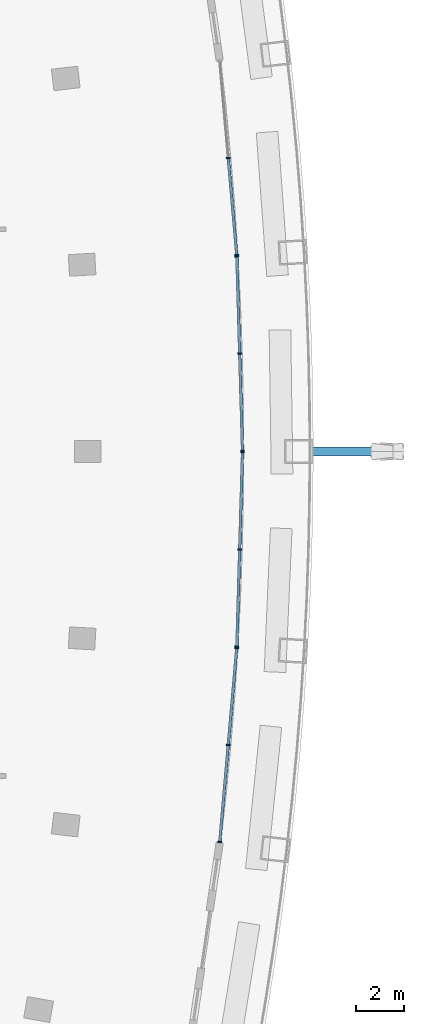
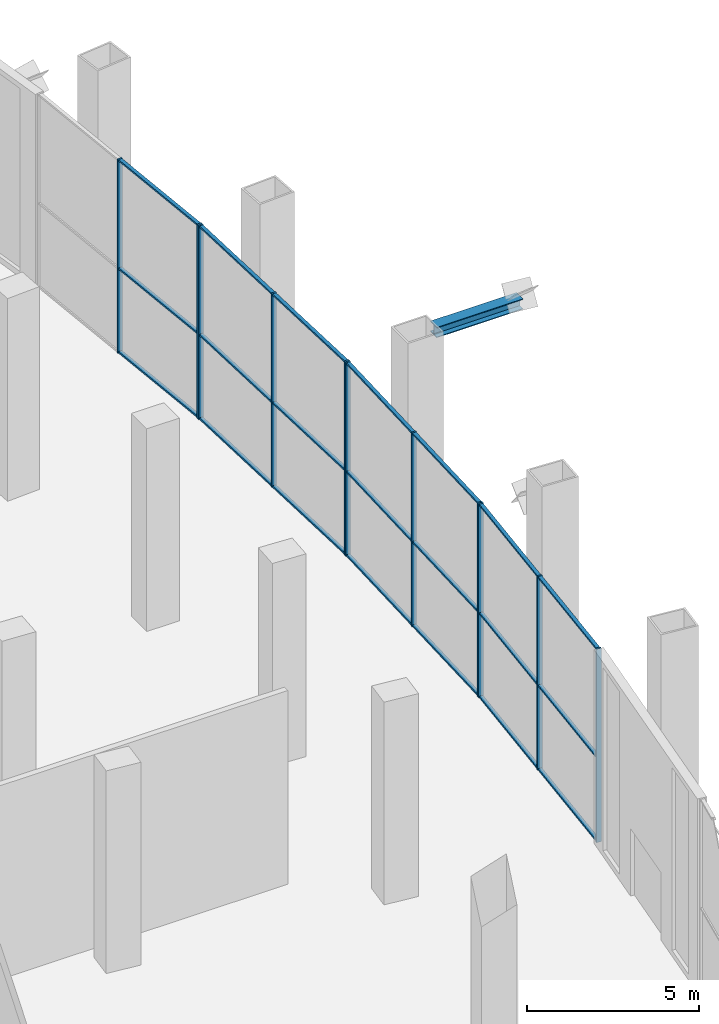
# One storey, part 11 of 27: 33 members, 4 elements without a shape of their own.
"""IFC4 building model written with IfcOpenShell, lengths in metres."""

from ifc_helpers import new_model, si_unit, direction, frame, origin, origin_2d, place, context, subcontext, project, spatial, rectangle, i_section, extrude, material, layer, layer_set, material_profile, profile_set, type_object, element, aggregate, save


model = new_model("IFC4")

# Units and contexts
model_context = context("Model", 3, precision=1e-05, world=origin(), true_north=direction((0.0, 1.0)))
body_context = subcontext(model_context, "Body", "Model", "MODEL_VIEW")
ifc_project = project(units=[si_unit("LENGTHUNIT", "METRE"), si_unit("AREAUNIT", "SQUARE_METRE"), si_unit("VOLUMEUNIT", "CUBIC_METRE"), si_unit("PLANEANGLEUNIT", "RADIAN"), si_unit("MASSUNIT", "GRAM", prefix="KILO")], contexts=[model_context])

# Site, building, storey
site_placement = place(None, origin())
site = spatial("IfcSite", under=ifc_project, at=site_placement, CompositionType="ELEMENT")
building_placement = place(site_placement, origin())
building = spatial("IfcBuilding", under=site, at=building_placement, Name="Alderwake Tower", CompositionType="ELEMENT")
storey_placement = place(building_placement, frame((0.0, 0.0, 75.199951171875)))
storey = spatial("IfcBuildingStorey", under=building, at=storey_placement, Name="L18", CompositionType="ELEMENT", Elevation=75.199951171875)

# Member
ifc_material_1 = material(Name="Steel ASTM A992 Grade 50", Category="steel")
ifc_material_profile_1 = material_profile(ifc_material_1, i_section(OverallWidth=0.3740234375, OverallDepth=0.372314453125, WebThickness=0.016357421875, FlangeThickness=0.026123046875, at=origin_2d()), Name="W14X132")
ifc_profile_set_1 = profile_set([ifc_material_profile_1], Name="Steel ASTM A992 Grade 50")
member_type_1 = type_object("IfcMemberType", Name="Brace node stub W14X132", PredefinedType="MEMBER", material=ifc_profile_set_1)
member_1_placement = place(storey_placement, frame((62.75, 61.0, 6.993896484375), z_axis=(1.0, 0.0, 0.0), x_axis=(0.0, 1.0, 0.0)))
element("IfcMember", 1, at=member_1_placement, inside=storey, type_object=member_type_1, Name="Brace node stub BS.FR07-C5.824", PredefinedType="MEMBER", context=body_context, shape_type="SweptSolid", body=[
    extrude(i_section(OverallWidth=0.3740234375, OverallDepth=0.372314453125, WebThickness=0.016357421875, FlangeThickness=0.026123046875, at=origin_2d()), origin(), (0.0, 0.0, 1.0), 2.89501953125),
])

# Curtain wall, members
ifc_material_2 = material(Name="Bronze tinted glass in aluminium frame", Category="aluminium")
ifc_layer = layer(ifc_material_2, 0.199951171875)
ifc_layer_set = layer_set([ifc_layer], Name="Curtain wall CW3 sky garden glazing")
curtain_wall_type = type_object("IfcCurtainWallType", Name="Curtain wall CW3 sky garden glazing", PredefinedType="NOTDEFINED", material=ifc_layer_set)
curtain_wall_1_placement = place(storey_placement, origin())
curtain_wall_1 = element("IfcCurtainWall", 2, at=curtain_wall_1_placement, inside=storey, type_object=curtain_wall_type, Name="Curtain wall 5", PredefinedType="NOTDEFINED")
ifc_material_3 = material(Name="Aluminium bronze anodised", Category="aluminium")
ifc_material_profile_2 = material_profile(ifc_material_3, rectangle(XDim=0.159912109375, YDim=0.06005859375, at=origin_2d()), Name="Mullion MUC 60x160")
ifc_profile_set_2 = profile_set([ifc_material_profile_2], Name="Aluminium bronze anodised")
member_type_2 = type_object("IfcMemberType", Name="Mullion MUC 60x160", PredefinedType="MULLION", material=ifc_profile_set_2)
member_2_placement = place(storey_placement, frame((58.90185546875, 44.74951171875, 0.0), z_axis=(0.0, 0.0, 1.0), x_axis=(-0.996175004686, 0.087380547254, 0.0)))
member_2 = element("IfcMember", 3, at=member_2_placement, type_object=member_type_2, Name="CW.05 mullion 1", PredefinedType="MULLION", context=body_context, shape_type="SweptSolid", body=[
    extrude(rectangle(XDim=0.159912109375, YDim=0.06005859375, at=origin_2d()), origin(), (0.0, 0.0, 1.0), 6.880126953125),
])
member_3_placement = place(storey_placement, frame((59.255615234375, 48.783935546875, 0.0), z_axis=(0.0, 0.0, 1.0), x_axis=(-0.996175004686, 0.087380547254, 0.0)))
member_3 = element("IfcMember", 4, at=member_3_placement, type_object=member_type_2, Name="CW.05 mullion 2", PredefinedType="MULLION", context=body_context, shape_type="SweptSolid", body=[
    extrude(rectangle(XDim=0.159912109375, YDim=0.06005859375, at=origin_2d()), origin(), (0.0, 0.0, 1.0), 6.880126953125),
])
member_4_placement = place(storey_placement, frame((59.609619140625, 52.818359375, 0.0), z_axis=(0.0, 0.0, 1.0), x_axis=(-0.996175004686, 0.087380547254, 0.0)))
member_4 = element("IfcMember", 5, at=member_4_placement, type_object=member_type_2, Name="CW.05 mullion 3", PredefinedType="MULLION", context=body_context, shape_type="SweptSolid", body=[
    extrude(rectangle(XDim=0.159912109375, YDim=0.06005859375, at=origin_2d()), origin(), (0.0, 0.0, 1.0), 6.880126953125),
])

curtain_wall_2_placement = place(storey_placement, origin())
curtain_wall_2 = element("IfcCurtainWall", 6, at=curtain_wall_2_placement, inside=storey, type_object=curtain_wall_type, Name="Curtain wall 6", PredefinedType="NOTDEFINED")
member_5_placement = place(storey_placement, frame((59.61279296875, 52.875244140625, 0.0), z_axis=(0.0, 0.0, 1.0), x_axis=(-0.999574528038, 0.029167840135, 0.0)))
member_5 = element("IfcMember", 7, at=member_5_placement, type_object=member_type_2, Name="CW.06 mullion 1", PredefinedType="MULLION", context=body_context, shape_type="SweptSolid", body=[
    extrude(rectangle(XDim=0.159912109375, YDim=0.06005859375, at=origin_2d()), origin(), (0.0, 0.0, 1.0), 6.880126953125),
])
member_6_placement = place(storey_placement, frame((59.73095703125, 56.92333984375, 0.0), z_axis=(0.0, 0.0, 1.0), x_axis=(-0.999574528038, 0.029167840135, 0.0)))
member_6 = element("IfcMember", 8, at=member_6_placement, type_object=member_type_2, Name="CW.06 mullion 2", PredefinedType="MULLION", context=body_context, shape_type="SweptSolid", body=[
    extrude(rectangle(XDim=0.159912109375, YDim=0.06005859375, at=origin_2d()), origin(), (0.0, 0.0, 1.0), 6.880126953125),
])
member_7_placement = place(storey_placement, frame((59.84912109375, 60.971435546875, 0.0), z_axis=(0.0, 0.0, 1.0), x_axis=(-0.999574528038, 0.029167840135, 0.0)))
member_7 = element("IfcMember", 9, at=member_7_placement, type_object=member_type_2, Name="CW.06 mullion 3", PredefinedType="MULLION", context=body_context, shape_type="SweptSolid", body=[
    extrude(rectangle(XDim=0.159912109375, YDim=0.06005859375, at=origin_2d()), origin(), (0.0, 0.0, 1.0), 6.880126953125),
])

curtain_wall_3_placement = place(storey_placement, origin())
curtain_wall_3 = element("IfcCurtainWall", 10, at=curtain_wall_3_placement, inside=storey, type_object=curtain_wall_type, Name="Curtain wall 7", PredefinedType="NOTDEFINED")
member_8_placement = place(storey_placement, frame((59.84912109375, 61.028564453125, 0.0), z_axis=(0.0, 0.0, 1.0), x_axis=(-0.999574528038, -0.029167840135, 0.0)))
member_8 = element("IfcMember", 11, at=member_8_placement, type_object=member_type_2, Name="CW.07 mullion 1", PredefinedType="MULLION", context=body_context, shape_type="SweptSolid", body=[
    extrude(rectangle(XDim=0.159912109375, YDim=0.06005859375, at=origin_2d()), origin(), (0.0, 0.0, 1.0), 6.880126953125),
])
member_9_placement = place(storey_placement, frame((59.73095703125, 65.07666015625, 0.0), z_axis=(0.0, 0.0, 1.0), x_axis=(-0.999574528038, -0.029167840135, 0.0)))
member_9 = element("IfcMember", 12, at=member_9_placement, type_object=member_type_2, Name="CW.07 mullion 2", PredefinedType="MULLION", context=body_context, shape_type="SweptSolid", body=[
    extrude(rectangle(XDim=0.159912109375, YDim=0.06005859375, at=origin_2d()), origin(), (0.0, 0.0, 1.0), 6.880126953125),
])
member_10_placement = place(storey_placement, frame((59.61279296875, 69.124755859375, 0.0), z_axis=(0.0, 0.0, 1.0), x_axis=(-0.999574528038, -0.029167840135, 0.0)))
member_10 = element("IfcMember", 13, at=member_10_placement, type_object=member_type_2, Name="CW.07 mullion 3", PredefinedType="MULLION", context=body_context, shape_type="SweptSolid", body=[
    extrude(rectangle(XDim=0.159912109375, YDim=0.06005859375, at=origin_2d()), origin(), (0.0, 0.0, 1.0), 6.880126953125),
])

curtain_wall_4_placement = place(storey_placement, origin())
curtain_wall_4 = element("IfcCurtainWall", 14, at=curtain_wall_4_placement, inside=storey, type_object=curtain_wall_type, Name="Curtain wall 8", PredefinedType="NOTDEFINED")
member_11_placement = place(storey_placement, frame((59.609619140625, 69.181640625, 0.0), z_axis=(0.0, 0.0, 1.0), x_axis=(-0.996175004686, -0.087380547254, 0.0)))
member_11 = element("IfcMember", 15, at=member_11_placement, type_object=member_type_2, Name="CW.08 mullion 1", PredefinedType="MULLION", context=body_context, shape_type="SweptSolid", body=[
    extrude(rectangle(XDim=0.159912109375, YDim=0.06005859375, at=origin_2d()), origin(), (0.0, 0.0, 1.0), 6.880126953125),
])
member_12_placement = place(storey_placement, frame((59.255615234375, 73.216064453125, 0.0), z_axis=(0.0, 0.0, 1.0), x_axis=(-0.996175004686, -0.087380547254, 0.0)))
member_12 = element("IfcMember", 16, at=member_12_placement, type_object=member_type_2, Name="CW.08 mullion 2", PredefinedType="MULLION", context=body_context, shape_type="SweptSolid", body=[
    extrude(rectangle(XDim=0.159912109375, YDim=0.06005859375, at=origin_2d()), origin(), (0.0, 0.0, 1.0), 6.880126953125),
])

# Member
ifc_material_4 = material(Name="Aluminium bronze anodised", Category="aluminium")
ifc_material_profile_3 = material_profile(ifc_material_4, rectangle(XDim=0.1201171875, YDim=0.06005859375, at=origin_2d()), Name="Transom TRC 60x120")
ifc_profile_set_3 = profile_set([ifc_material_profile_3], Name="Aluminium bronze anodised")
member_type_3 = type_object("IfcMemberType", Name="Transom TRC 60x120", PredefinedType="USERDEFINED", material=ifc_profile_set_3)
member_13_placement = place(storey_placement, frame((58.904541015625, 44.779541015625, 0.030029296875), z_axis=(0.08737948646, 0.996175097734, 0.0), x_axis=(-0.996175097734, 0.08737948646, 0.0)))
member_13 = element("IfcMember", 17, at=member_13_placement, type_object=member_type_3, Name="CW.05 transom 1.1", ObjectType="TRANSOM", PredefinedType="USERDEFINED", context=body_context, shape_type="SweptSolid", body=[
    extrude(rectangle(XDim=0.1201171875, YDim=0.06005859375, at=origin_2d()), origin(), (0.0, 0.0, 1.0), 3.989990234375),
])

member_14_placement = place(storey_placement, frame((58.904541015625, 44.779541015625, 3.0), z_axis=(0.08737948646, 0.996175097734, 0.0), x_axis=(-0.996175097734, 0.08737948646, 0.0)))
member_14 = element("IfcMember", 18, at=member_14_placement, type_object=member_type_3, Name="CW.05 transom 1.2", ObjectType="TRANSOM", PredefinedType="USERDEFINED", context=body_context, shape_type="SweptSolid", body=[
    extrude(rectangle(XDim=0.1201171875, YDim=0.06005859375, at=origin_2d()), origin(), (0.0, 0.0, 1.0), 3.989990234375),
])

member_15_placement = place(storey_placement, frame((58.904541015625, 44.779541015625, 6.85009765625), z_axis=(0.08737948646, 0.996175097734, 0.0), x_axis=(-0.996175097734, 0.08737948646, 0.0)))
member_15 = element("IfcMember", 19, at=member_15_placement, type_object=member_type_3, Name="CW.05 transom 1.3", ObjectType="TRANSOM", PredefinedType="USERDEFINED", context=body_context, shape_type="SweptSolid", body=[
    extrude(rectangle(XDim=0.1201171875, YDim=0.06005859375, at=origin_2d()), origin(), (0.0, 0.0, 1.0), 3.989990234375),
])

member_16_placement = place(storey_placement, frame((59.25830078125, 48.813720703125, 0.030029296875), z_axis=(0.08737948646, 0.996175097734, 0.0), x_axis=(-0.996175097734, 0.08737948646, 0.0)))
member_16 = element("IfcMember", 20, at=member_16_placement, type_object=member_type_3, Name="CW.05 transom 2.1", ObjectType="TRANSOM", PredefinedType="USERDEFINED", context=body_context, shape_type="SweptSolid", body=[
    extrude(rectangle(XDim=0.1201171875, YDim=0.06005859375, at=origin_2d()), origin(), (0.0, 0.0, 1.0), 3.989990234375),
])

member_17_placement = place(storey_placement, frame((59.25830078125, 48.813720703125, 3.0), z_axis=(0.08737948646, 0.996175097734, 0.0), x_axis=(-0.996175097734, 0.08737948646, 0.0)))
member_17 = element("IfcMember", 21, at=member_17_placement, type_object=member_type_3, Name="CW.05 transom 2.2", ObjectType="TRANSOM", PredefinedType="USERDEFINED", context=body_context, shape_type="SweptSolid", body=[
    extrude(rectangle(XDim=0.1201171875, YDim=0.06005859375, at=origin_2d()), origin(), (0.0, 0.0, 1.0), 3.989990234375),
])

member_18_placement = place(storey_placement, frame((59.25830078125, 48.813720703125, 6.85009765625), z_axis=(0.08737948646, 0.996175097734, 0.0), x_axis=(-0.996175097734, 0.08737948646, 0.0)))
member_18 = element("IfcMember", 22, at=member_18_placement, type_object=member_type_3, Name="CW.05 transom 2.3", ObjectType="TRANSOM", PredefinedType="USERDEFINED", context=body_context, shape_type="SweptSolid", body=[
    extrude(rectangle(XDim=0.1201171875, YDim=0.06005859375, at=origin_2d()), origin(), (0.0, 0.0, 1.0), 3.989990234375),
])

aggregate(curtain_wall_1, [member_2, member_3, member_4, member_13, member_14, member_15, member_16, member_17, member_18])

member_19_placement = place(storey_placement, frame((59.61376953125, 52.9052734375, 0.030029296875), z_axis=(0.029188659931, 0.999573920294, 0.0), x_axis=(-0.999573920294, 0.029188659931, 0.0)))
member_19 = element("IfcMember", 23, at=member_19_placement, type_object=member_type_3, Name="CW.06 transom 1.1", ObjectType="TRANSOM", PredefinedType="USERDEFINED", context=body_context, shape_type="SweptSolid", body=[
    extrude(rectangle(XDim=0.1201171875, YDim=0.06005859375, at=origin_2d()), origin(), (0.0, 0.0, 1.0), 3.98974609375),
])

member_20_placement = place(storey_placement, frame((59.61376953125, 52.9052734375, 3.0), z_axis=(0.029188659931, 0.999573920294, 0.0), x_axis=(-0.999573920294, 0.029188659931, 0.0)))
member_20 = element("IfcMember", 24, at=member_20_placement, type_object=member_type_3, Name="CW.06 transom 1.2", ObjectType="TRANSOM", PredefinedType="USERDEFINED", context=body_context, shape_type="SweptSolid", body=[
    extrude(rectangle(XDim=0.1201171875, YDim=0.06005859375, at=origin_2d()), origin(), (0.0, 0.0, 1.0), 3.98974609375),
])

member_21_placement = place(storey_placement, frame((59.61376953125, 52.9052734375, 6.85009765625), z_axis=(0.029188659931, 0.999573920294, 0.0), x_axis=(-0.999573920294, 0.029188659931, 0.0)))
member_21 = element("IfcMember", 25, at=member_21_placement, type_object=member_type_3, Name="CW.06 transom 1.3", ObjectType="TRANSOM", PredefinedType="USERDEFINED", context=body_context, shape_type="SweptSolid", body=[
    extrude(rectangle(XDim=0.1201171875, YDim=0.06005859375, at=origin_2d()), origin(), (0.0, 0.0, 1.0), 3.98974609375),
])

member_22_placement = place(storey_placement, frame((59.73193359375, 56.953369140625, 0.030029296875), z_axis=(0.029127519743, 0.999575703783, 0.0), x_axis=(-0.999575703783, 0.029127519743, 0.0)))
member_22 = element("IfcMember", 26, at=member_22_placement, type_object=member_type_3, Name="CW.06 transom 2.1", ObjectType="TRANSOM", PredefinedType="USERDEFINED", context=body_context, shape_type="SweptSolid", body=[
    extrude(rectangle(XDim=0.1201171875, YDim=0.06005859375, at=origin_2d()), origin(), (0.0, 0.0, 1.0), 3.98974609375),
])

member_23_placement = place(storey_placement, frame((59.73193359375, 56.953369140625, 3.0), z_axis=(0.029127519743, 0.999575703783, 0.0), x_axis=(-0.999575703783, 0.029127519743, 0.0)))
member_23 = element("IfcMember", 27, at=member_23_placement, type_object=member_type_3, Name="CW.06 transom 2.2", ObjectType="TRANSOM", PredefinedType="USERDEFINED", context=body_context, shape_type="SweptSolid", body=[
    extrude(rectangle(XDim=0.1201171875, YDim=0.06005859375, at=origin_2d()), origin(), (0.0, 0.0, 1.0), 3.98974609375),
])

member_24_placement = place(storey_placement, frame((59.73193359375, 56.953369140625, 6.85009765625), z_axis=(0.029127519743, 0.999575703783, 0.0), x_axis=(-0.999575703783, 0.029127519743, 0.0)))
member_24 = element("IfcMember", 28, at=member_24_placement, type_object=member_type_3, Name="CW.06 transom 2.3", ObjectType="TRANSOM", PredefinedType="USERDEFINED", context=body_context, shape_type="SweptSolid", body=[
    extrude(rectangle(XDim=0.1201171875, YDim=0.06005859375, at=origin_2d()), origin(), (0.0, 0.0, 1.0), 3.98974609375),
])

aggregate(curtain_wall_2, [member_5, member_6, member_7, member_19, member_20, member_21, member_22, member_23, member_24])

member_25_placement = place(storey_placement, frame((59.84814453125, 61.05859375, 0.030029296875), z_axis=(-0.029127519743, 0.999575703783, 0.0), x_axis=(-0.999575703783, -0.029127519743, 0.0)))
member_25 = element("IfcMember", 29, at=member_25_placement, type_object=member_type_3, Name="CW.07 transom 1.1", ObjectType="TRANSOM", PredefinedType="USERDEFINED", context=body_context, shape_type="SweptSolid", body=[
    extrude(rectangle(XDim=0.1201171875, YDim=0.06005859375, at=origin_2d()), origin(), (0.0, 0.0, 1.0), 3.98974609375),
])

member_26_placement = place(storey_placement, frame((59.84814453125, 61.05859375, 3.0), z_axis=(-0.029127519743, 0.999575703783, 0.0), x_axis=(-0.999575703783, -0.029127519743, 0.0)))
member_26 = element("IfcMember", 30, at=member_26_placement, type_object=member_type_3, Name="CW.07 transom 1.2", ObjectType="TRANSOM", PredefinedType="USERDEFINED", context=body_context, shape_type="SweptSolid", body=[
    extrude(rectangle(XDim=0.1201171875, YDim=0.06005859375, at=origin_2d()), origin(), (0.0, 0.0, 1.0), 3.98974609375),
])

member_27_placement = place(storey_placement, frame((59.84814453125, 61.05859375, 6.85009765625), z_axis=(-0.029127519743, 0.999575703783, 0.0), x_axis=(-0.999575703783, -0.029127519743, 0.0)))
member_27 = element("IfcMember", 31, at=member_27_placement, type_object=member_type_3, Name="CW.07 transom 1.3", ObjectType="TRANSOM", PredefinedType="USERDEFINED", context=body_context, shape_type="SweptSolid", body=[
    extrude(rectangle(XDim=0.1201171875, YDim=0.06005859375, at=origin_2d()), origin(), (0.0, 0.0, 1.0), 3.98974609375),
])

member_28_placement = place(storey_placement, frame((59.730224609375, 65.106689453125, 0.030029296875), z_axis=(-0.029188659931, 0.999573920294, 0.0), x_axis=(-0.999573920294, -0.029188659931, 0.0)))
member_28 = element("IfcMember", 32, at=member_28_placement, type_object=member_type_3, Name="CW.07 transom 2.1", ObjectType="TRANSOM", PredefinedType="USERDEFINED", context=body_context, shape_type="SweptSolid", body=[
    extrude(rectangle(XDim=0.1201171875, YDim=0.06005859375, at=origin_2d()), origin(), (0.0, 0.0, 1.0), 3.98974609375),
])

member_29_placement = place(storey_placement, frame((59.730224609375, 65.106689453125, 3.0), z_axis=(-0.029188659931, 0.999573920294, 0.0), x_axis=(-0.999573920294, -0.029188659931, 0.0)))
member_29 = element("IfcMember", 33, at=member_29_placement, type_object=member_type_3, Name="CW.07 transom 2.2", ObjectType="TRANSOM", PredefinedType="USERDEFINED", context=body_context, shape_type="SweptSolid", body=[
    extrude(rectangle(XDim=0.1201171875, YDim=0.06005859375, at=origin_2d()), origin(), (0.0, 0.0, 1.0), 3.98974609375),
])

member_30_placement = place(storey_placement, frame((59.730224609375, 65.106689453125, 6.85009765625), z_axis=(-0.029188659931, 0.999573920294, 0.0), x_axis=(-0.999573920294, -0.029188659931, 0.0)))
member_30 = element("IfcMember", 34, at=member_30_placement, type_object=member_type_3, Name="CW.07 transom 2.3", ObjectType="TRANSOM", PredefinedType="USERDEFINED", context=body_context, shape_type="SweptSolid", body=[
    extrude(rectangle(XDim=0.1201171875, YDim=0.06005859375, at=origin_2d()), origin(), (0.0, 0.0, 1.0), 3.98974609375),
])

aggregate(curtain_wall_3, [member_8, member_9, member_10, member_25, member_26, member_27, member_28, member_29, member_30])

member_31_placement = place(storey_placement, frame((59.60693359375, 69.211669921875, 0.030029296875), z_axis=(-0.08737948646, 0.996175097734, 0.0), x_axis=(-0.996175097734, -0.08737948646, 0.0)))
member_31 = element("IfcMember", 35, at=member_31_placement, type_object=member_type_3, Name="CW.08 transom 1.1", ObjectType="TRANSOM", PredefinedType="USERDEFINED", context=body_context, shape_type="SweptSolid", body=[
    extrude(rectangle(XDim=0.1201171875, YDim=0.06005859375, at=origin_2d()), origin(), (0.0, 0.0, 1.0), 3.989990234375),
])

member_32_placement = place(storey_placement, frame((59.60693359375, 69.211669921875, 3.0), z_axis=(-0.08737948646, 0.996175097734, 0.0), x_axis=(-0.996175097734, -0.08737948646, 0.0)))
member_32 = element("IfcMember", 36, at=member_32_placement, type_object=member_type_3, Name="CW.08 transom 1.2", ObjectType="TRANSOM", PredefinedType="USERDEFINED", context=body_context, shape_type="SweptSolid", body=[
    extrude(rectangle(XDim=0.1201171875, YDim=0.06005859375, at=origin_2d()), origin(), (0.0, 0.0, 1.0), 3.989990234375),
])

member_33_placement = place(storey_placement, frame((59.60693359375, 69.211669921875, 6.85009765625), z_axis=(-0.08737948646, 0.996175097734, 0.0), x_axis=(-0.996175097734, -0.08737948646, 0.0)))
member_33 = element("IfcMember", 37, at=member_33_placement, type_object=member_type_3, Name="CW.08 transom 1.3", ObjectType="TRANSOM", PredefinedType="USERDEFINED", context=body_context, shape_type="SweptSolid", body=[
    extrude(rectangle(XDim=0.1201171875, YDim=0.06005859375, at=origin_2d()), origin(), (0.0, 0.0, 1.0), 3.989990234375),
])

aggregate(curtain_wall_4, [member_11, member_12, member_31, member_32, member_33])

save(model, "model.ifc")
